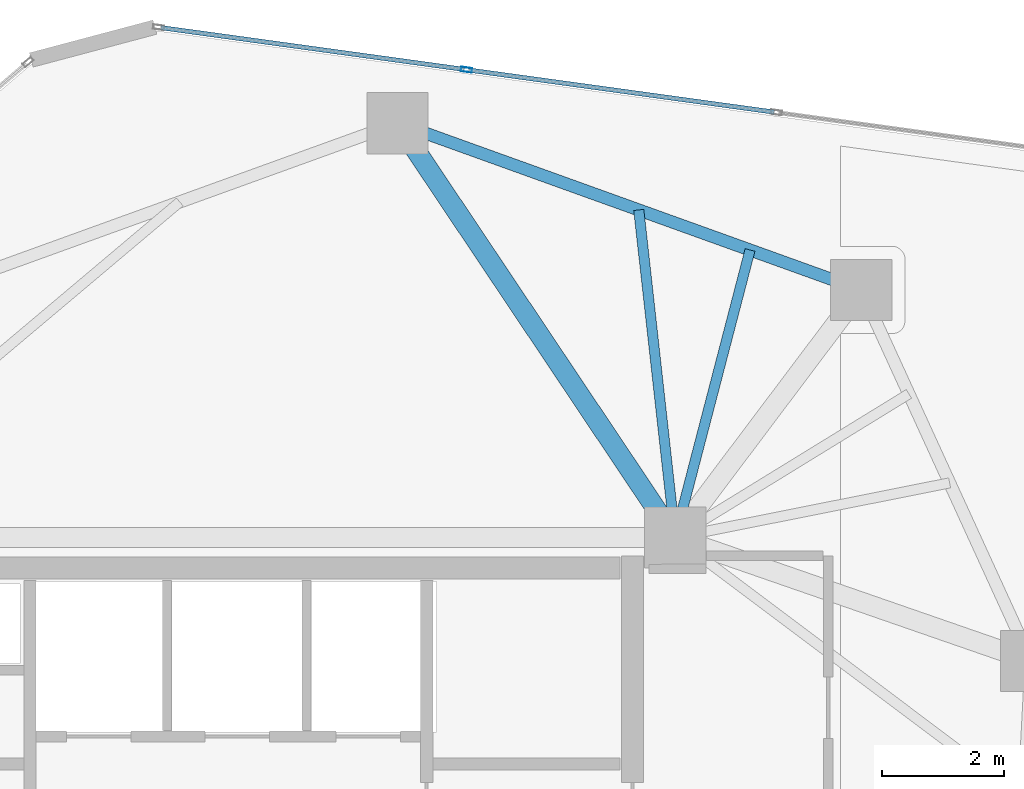
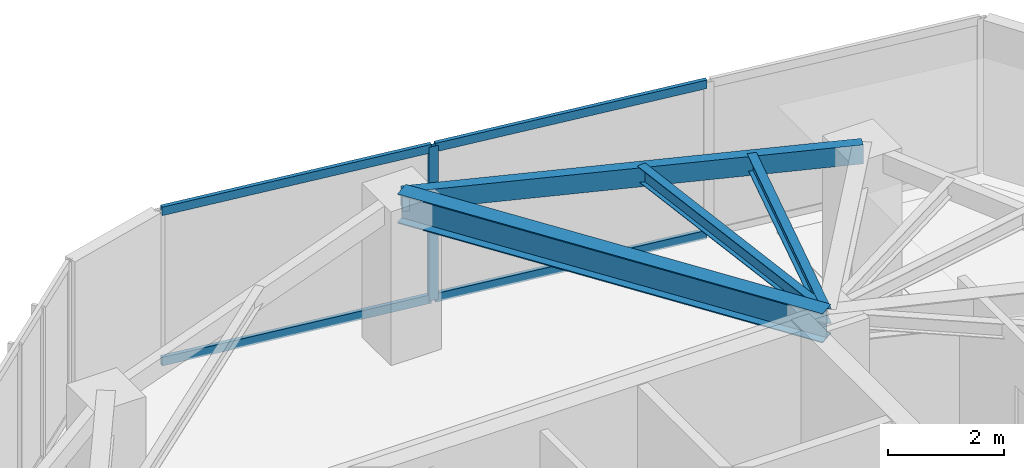
# One storey, part 14 of 20: 5 members, 4 beams, 1 element without a shape of its own.
"""IFC4 building model written with IfcOpenShell, lengths in metres."""

from ifc_helpers import new_model, si_unit, direction, frame, origin, origin_2d, place, context, subcontext, project, spatial, hollow_rectangle, i_section, extrude, source, transform, mapped, material, layer, layer_set, material_profile, profile_set, type_object, type_shapes, element, aggregate, save


model = new_model("IFC4")

# Units and contexts
model_context = context("Model", 3, precision=1e-05, world=origin(), true_north=direction((0.0, 1.0)))
body_context = subcontext(model_context, "Body", "Model", "MODEL_VIEW")
ifc_project = project(units=[si_unit("LENGTHUNIT", "METRE"), si_unit("AREAUNIT", "SQUARE_METRE"), si_unit("VOLUMEUNIT", "CUBIC_METRE"), si_unit("PLANEANGLEUNIT", "RADIAN"), si_unit("MASSUNIT", "GRAM", prefix="KILO")], contexts=[model_context])

# Site, building, storey
site_placement = place(None, origin())
site = spatial("IfcSite", under=ifc_project, at=site_placement, CompositionType="ELEMENT")
building_placement = place(site_placement, origin())
building = spatial("IfcBuilding", under=site, at=building_placement, Name="Talar Marvaseh", CompositionType="ELEMENT")
storey_placement = place(building_placement, frame((0.0, 0.0, 211.699951171875)))
storey = spatial("IfcBuildingStorey", under=building, at=storey_placement, Name="L55", CompositionType="ELEMENT", Elevation=211.699951171875)

# Beams
ifc_material_1 = material(Name="Steel S355", Category="steel")
ifc_material_profile_1 = material_profile(ifc_material_1, hollow_rectangle(XDim=0.199951171875, YDim=0.39990234375, WallThickness=0.013916015625, at=origin_2d()), Name="RHS400x200x14")
ifc_profile_set_1 = profile_set([ifc_material_profile_1], Name="Steel S355")
beam_type_1 = type_object("IfcBeamType", Name="Zone 3 Perimeter Spandrel Beam RHS400x200x14", PredefinedType="SPANDREL", material=ifc_profile_set_1)
beam_1_placement = place(storey_placement, frame((28.76611328125, 43.66796875, 3.030029296875), z_axis=(0.940923359576, -0.3386195969, 0.0), x_axis=(0.3386195969, 0.940923359576, 0.0)))
element("IfcBeam", 1, at=beam_1_placement, inside=storey, type_object=beam_type_1, Name="L55 Zone 3 Perimeter Spandrel Beam RHS400x200x14", PredefinedType="SPANDREL", context=body_context, shape_type="SweptSolid", body=[
    extrude(hollow_rectangle(XDim=0.199951171875, YDim=0.39990234375, WallThickness=0.013916015625, at=origin_2d()), origin(), (0.0, 0.0, 1.0), 8.050537109375),
])
ifc_material_profile_2 = material_profile(ifc_material_1, i_section(OverallWidth=0.324951171875, OverallDepth=0.615966796875, WebThickness=0.013916015625, FlangeThickness=0.021484375, at=origin_2d()), Name="W610x174")
ifc_profile_set_2 = profile_set([ifc_material_profile_2], Name="Steel S355")
beam_type_2 = type_object("IfcBeamType", Name="Zone 3 Radial Floor Girder W610x174", PredefinedType="BEAM", material=ifc_profile_set_2)
beam_2_placement = place(storey_placement, frame((28.76611328125, 43.66796875, 2.922119140625), z_axis=(0.556559209375, -0.830807948, 0.0), x_axis=(0.830807948, 0.556559209375, 0.0)))
element("IfcBeam", 2, at=beam_2_placement, inside=storey, type_object=beam_type_2, Name="L55 Zone 3 Radial Floor Girder W610x174", PredefinedType="BEAM", context=body_context, shape_type="SweptSolid", body=[
    extrude(i_section(OverallWidth=0.324951171875, OverallDepth=0.615966796875, WebThickness=0.013916015625, FlangeThickness=0.021484375, at=origin_2d()), origin(), (0.0, 0.0, 1.0), 8.146484375),
])
ifc_material_profile_3 = material_profile(ifc_material_1, i_section(OverallWidth=0.166015625, OverallDepth=0.31298828125, WebThickness=0.006591796875, FlangeThickness=0.01123046875, at=origin_2d()), Name="W310x45")
ifc_profile_set_3 = profile_set([ifc_material_profile_3], Name="Steel S355")
beam_type_3 = type_object("IfcBeamType", Name="Zone 3 Secondary Floor Joist W310x45", PredefinedType="JOIST", material=ifc_profile_set_3)
beam_3_placement = place(storey_placement, frame((32.705078125, 42.25048828125, 3.073486328125), z_axis=(0.110516140753, -0.993874329396, 0.0), x_axis=(0.993874329396, 0.110516140753, 0.0)))
element("IfcBeam", 3, at=beam_3_placement, inside=storey, type_object=beam_type_3, Name="L55 Zone 3 Secondary Floor Joist W310x45", PredefinedType="JOIST", context=body_context, shape_type="SweptSolid", body=[
    extrude(i_section(OverallWidth=0.166015625, OverallDepth=0.31298828125, WebThickness=0.006591796875, FlangeThickness=0.01123046875, at=origin_2d()), origin(), (0.0, 0.0, 1.0), 5.383544921875),
])
beam_4_placement = place(storey_placement, frame((34.52294921875, 41.59619140625, 3.073486328125), z_axis=(-0.251993851934, -0.967728835257, 0.0), x_axis=(0.967728835257, -0.251993851934, 0.0)))
element("IfcBeam", 4, at=beam_4_placement, inside=storey, type_object=beam_type_3, Name="L55 Zone 3 Secondary Floor Joist W310x45", PredefinedType="JOIST", context=body_context, shape_type="SweptSolid", body=[
    extrude(i_section(OverallWidth=0.166015625, OverallDepth=0.31298828125, WebThickness=0.006591796875, FlangeThickness=0.01123046875, at=origin_2d()), origin(), (0.0, 0.0, 1.0), 4.852783203125),
])

# Curtain wall, members
ifc_material_2 = material(Name="Architectural Aluminium", Category="aluminium")
ifc_layer = layer(ifc_material_2, 0.18994140625)
ifc_layer_set = layer_set([ifc_layer], Name="Architectural Aluminium")
curtain_wall_type = type_object("IfcCurtainWallType", Name="Unitised Solar Atelier Curtain Wall Z3", PredefinedType="NOTDEFINED", material=ifc_layer_set)
curtain_wall_placement = place(storey_placement, origin())
curtain_wall = element("IfcCurtainWall", 5, at=curtain_wall_placement, inside=storey, type_object=curtain_wall_type, Name="L55 Unitised Solar Atelier Curtain Wall Z3", PredefinedType="NOTDEFINED")
ifc_material_profile_4 = material_profile(ifc_material_2, hollow_rectangle(XDim=0.074951171875, YDim=0.179931640625, WallThickness=0.0048828125, at=origin_2d()), Name="RHS180x75x5")
ifc_profile_set_4 = profile_set([ifc_material_profile_4], Name="Architectural Aluminium")
member_type_1 = type_object("IfcMemberType", Name="Unitised Curtain Wall Standard Mullion RHS180x75x5", PredefinedType="MULLION", material=ifc_profile_set_4)
shared_shape_1 = source(origin(), body_context, "Body", "SweptSolid", [
    extrude(hollow_rectangle(XDim=0.074951171875, YDim=0.179931640625, WallThickness=0.0048828125, at=origin_2d()), origin(), (0.0, 0.0, 1.0), 3.22998046875),
])
type_shapes(member_type_1, [shared_shape_1])
member_1_placement = place(storey_placement, frame((29.8896484375, 44.540283203125, 0.0), z_axis=(0.0, 0.0, 1.0), x_axis=(0.136514738392, 0.990638039953, 0.0)))
member_1 = element("IfcMember", 6, at=member_1_placement, type_object=member_type_1, Name="CW-Z3 mullion 2", PredefinedType="MULLION", context=body_context, shape_type="MappedRepresentation", body=[
    mapped(shared_shape_1, transform((0.0, 0.0, 0.0), x_axis=(1.0, 0.0, 0.0), y_axis=(0.0, 1.0, 0.0), z_axis=(0.0, 0.0, 1.0), scale=1.0)),
])
ifc_material_profile_5 = material_profile(ifc_material_2, hollow_rectangle(XDim=0.074951171875, YDim=0.179931640625, WallThickness=0.0048828125, at=origin_2d()), Name="RHS180x75x5")
ifc_profile_set_5 = profile_set([ifc_material_profile_5], Name="Architectural Aluminium")
member_type_2 = type_object("IfcMemberType", Name="Unitised Curtain Wall Transom RHS180x75x5", PredefinedType="USERDEFINED", material=ifc_profile_set_5)
shared_shape_2 = source(origin(), body_context, "Body", "SweptSolid", [
    extrude(hollow_rectangle(XDim=0.074951171875, YDim=0.179931640625, WallThickness=0.0048828125, at=origin_2d()), origin(), (0.0, 0.0, 1.0), 5.00048828125),
])
member_2_placement = place(storey_placement, frame((24.89892578125, 45.22802734375, 0.03759765625), z_axis=(0.990638440408, -0.136511832399, 0.0), x_axis=(0.136511832399, 0.990638440408, 0.0)))
member_2 = element("IfcMember", 7, at=member_2_placement, type_object=member_type_2, Name="CW-Z3 transom 1.1", ObjectType="TRANSOM", PredefinedType="USERDEFINED", context=body_context, shape_type="MappedRepresentation", body=[
    mapped(shared_shape_2, transform((0.0, 0.0, 0.0), x_axis=(1.0, 0.0, 0.0), y_axis=(0.0, 1.0, 0.0), z_axis=(0.0, 0.0, 1.0), scale=1.0)),
])
member_3_placement = place(storey_placement, frame((24.89892578125, 45.22802734375, 3.192626953125), z_axis=(0.990638440408, -0.136511832399, 0.0), x_axis=(0.136511832399, 0.990638440408, 0.0)))
member_3 = element("IfcMember", 8, at=member_3_placement, type_object=member_type_2, Name="CW-Z3 transom 1.2", ObjectType="TRANSOM", PredefinedType="USERDEFINED", context=body_context, shape_type="MappedRepresentation", body=[
    mapped(shared_shape_2, transform((0.0, 0.0, 0.0), x_axis=(1.0, 0.0, 0.0), y_axis=(0.0, 1.0, 0.0), z_axis=(0.0, 0.0, 1.0), scale=1.0)),
])
shared_shape_3 = source(origin(), body_context, "Body", "SweptSolid", [
    extrude(hollow_rectangle(XDim=0.074951171875, YDim=0.179931640625, WallThickness=0.0048828125, at=origin_2d()), origin(), (0.0, 0.0, 1.0), 5.037841796875),
])
type_shapes(member_type_2, [shared_shape_2, shared_shape_3])
member_4_placement = place(storey_placement, frame((29.927001953125, 44.53515625, 0.03759765625), z_axis=(0.990638085757, -0.136514406006, 0.0), x_axis=(0.136514406006, 0.990638085757, 0.0)))
member_4 = element("IfcMember", 9, at=member_4_placement, type_object=member_type_2, Name="CW-Z3 transom 2.1", ObjectType="TRANSOM", PredefinedType="USERDEFINED", context=body_context, shape_type="MappedRepresentation", body=[
    mapped(shared_shape_3, transform((0.0, 0.0, 0.0), x_axis=(1.0, 0.0, 0.0), y_axis=(0.0, 1.0, 0.0), z_axis=(0.0, 0.0, 1.0), scale=1.0)),
])
member_5_placement = place(storey_placement, frame((29.927001953125, 44.53515625, 3.192626953125), z_axis=(0.990638085757, -0.136514406006, 0.0), x_axis=(0.136514406006, 0.990638085757, 0.0)))
member_5 = element("IfcMember", 10, at=member_5_placement, type_object=member_type_2, Name="CW-Z3 transom 2.2", ObjectType="TRANSOM", PredefinedType="USERDEFINED", context=body_context, shape_type="MappedRepresentation", body=[
    mapped(shared_shape_3, transform((0.0, 0.0, 0.0), x_axis=(1.0, 0.0, 0.0), y_axis=(0.0, 1.0, 0.0), z_axis=(0.0, 0.0, 1.0), scale=1.0)),
])
aggregate(curtain_wall, [member_1, member_2, member_3, member_4, member_5])

save(model, "model.ifc")
